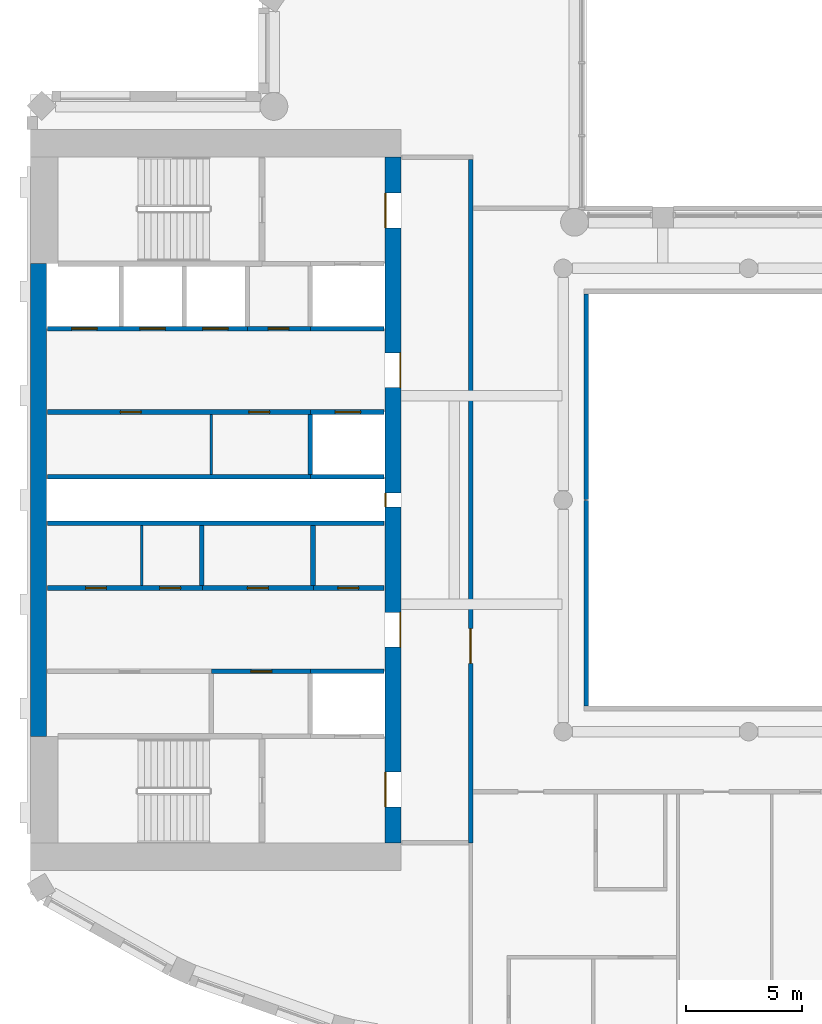
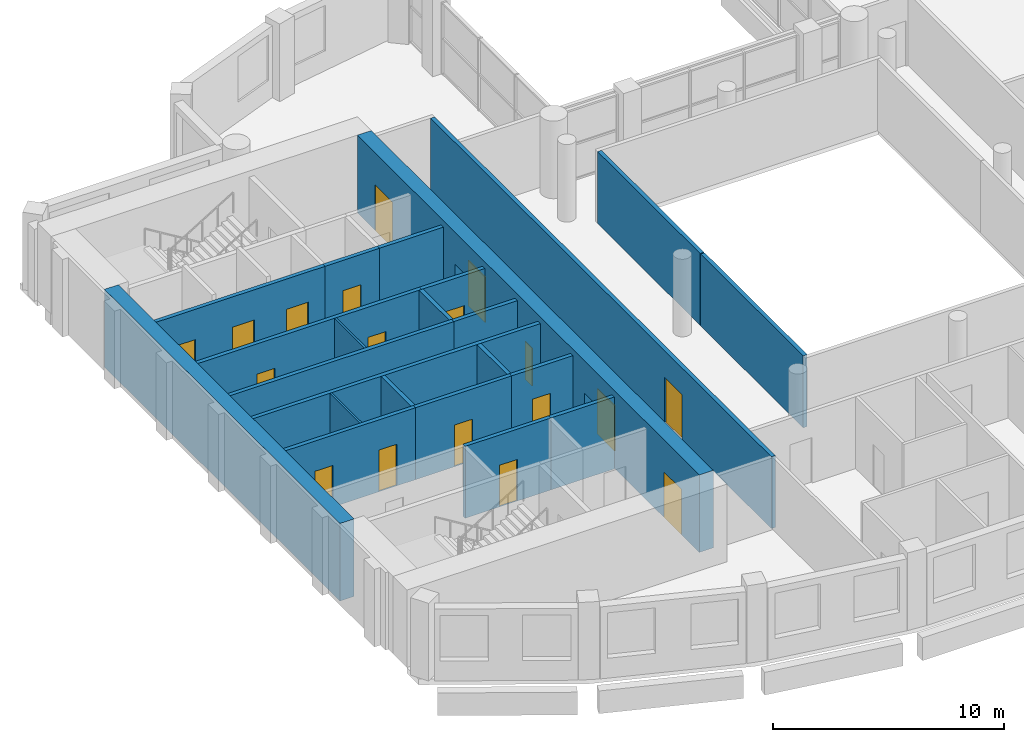
# One storey, part 5 of 15: 23 walls, 18 doors, 18 openings.
"""IFC4 building model written with IfcOpenShell, lengths in metres."""

from ifc_helpers import new_model, si_unit, direction, frame, frame_2d, origin, place, context, subcontext, project, spatial, rectangle, extrude, material, layer, layer_set, type_object, element, fill, save


model = new_model("IFC4")

# Units and contexts
model_context = context("Model", 3, precision=1e-05, world=origin(), true_north=direction((0.0, 1.0)))
body_context = subcontext(model_context, "Body", "Model", "MODEL_VIEW")
ifc_project = project(units=[si_unit("LENGTHUNIT", "METRE"), si_unit("AREAUNIT", "SQUARE_METRE"), si_unit("VOLUMEUNIT", "CUBIC_METRE"), si_unit("PLANEANGLEUNIT", "RADIAN"), si_unit("MASSUNIT", "GRAM", prefix="KILO")], contexts=[model_context])

# Site, building, storey
site_placement = place(None, origin())
site = spatial("IfcSite", under=ifc_project, at=site_placement, CompositionType="ELEMENT")
building_placement = place(site_placement, origin())
building = spatial("IfcBuilding", under=site, at=building_placement, Name="Cypress Arch Tower", CompositionType="ELEMENT")
storey_placement = place(building_placement, frame((0.0, 0.0, 317.199951171875)))
storey = spatial("IfcBuildingStorey", under=building, at=storey_placement, Name="L72", CompositionType="ELEMENT", Elevation=317.199951171875)

# Wall, openings, doors
ifc_material_1 = material(Name="Concrete C60/75", Category="concrete")
ifc_layer_1 = layer(ifc_material_1, 0.699951171875)
ifc_layer_set_1 = layer_set([ifc_layer_1], Name="Core wall CW700 C60/75")
wall_type_1 = type_object("IfcWallType", Name="Core wall CW700 C60/75", PredefinedType="SHEAR", material=ifc_layer_set_1)
wall_1_placement = place(storey_placement, frame((-14.35009765625, -14.800048828125, 0.0), z_axis=(0.0, 0.0, 1.0), x_axis=(0.0, 1.0, 0.0)))
wall_1 = element("IfcWall", 1, at=wall_1_placement, inside=storey, type_object=wall_type_1, Name="Core wall", PredefinedType="SHEAR", context=body_context, shape_type="SweptSolid", body=[
    extrude(rectangle(XDim=29.60009765625, YDim=0.699951171875, at=frame_2d((14.800048828125, 0.0))), origin(), (0.0, 0.0, 1.0), 4.10009765625),
])
opening_1_placement = place(wall_1_placement, frame((1.550048828125, 0.0, 0.0)))
opening_1 = element("IfcOpeningElement", 2, at=opening_1_placement, cuts=wall_1, Name="Opening D07", PredefinedType="OPENING", context=body_context, shape_type="SweptSolid", body=[
    extrude(rectangle(XDim=1.5, YDim=2.39990234375, at=frame_2d((0.75, 1.199951171875))), frame((0.0, 0.35986328125, 0.0), z_axis=(0.0, -1.0, 0.0), x_axis=(1.0, 0.0, 0.0)), (0.0, 0.0, 1.0), 0.719970703125),
])
opening_2_placement = place(wall_1_placement, frame((26.550048828125, 0.0, 0.0)))
opening_2 = element("IfcOpeningElement", 3, at=opening_2_placement, cuts=wall_1, Name="Opening D07", PredefinedType="OPENING", context=body_context, shape_type="SweptSolid", body=[
    extrude(rectangle(XDim=1.5, YDim=2.39990234375, at=frame_2d((0.75, 1.199951171875))), frame((0.0, 0.35986328125, 0.0), z_axis=(0.0, -1.0, 0.0), x_axis=(1.0, 0.0, 0.0)), (0.0, 0.0, 1.0), 0.719970703125),
])
opening_3_placement = place(wall_1_placement, frame((8.449951171875, 0.0, 0.0)))
opening_3 = element("IfcOpeningElement", 4, at=opening_3_placement, cuts=wall_1, Name="Opening D07", PredefinedType="OPENING", context=body_context, shape_type="SweptSolid", body=[
    extrude(rectangle(XDim=1.5, YDim=2.39990234375, at=frame_2d((0.75, 1.199951171875))), frame((0.0, 0.35986328125, 0.0), z_axis=(0.0, -1.0, 0.0), x_axis=(1.0, 0.0, 0.0)), (0.0, 0.0, 1.0), 0.719970703125),
])
opening_4_placement = place(wall_1_placement, frame((19.64990234375, 0.0, 0.0)))
opening_4 = element("IfcOpeningElement", 5, at=opening_4_placement, cuts=wall_1, Name="Opening D07", PredefinedType="OPENING", context=body_context, shape_type="SweptSolid", body=[
    extrude(rectangle(XDim=1.5, YDim=2.39990234375, at=frame_2d((0.75, 1.199951171875))), frame((0.0, 0.35986328125, 0.0), z_axis=(0.0, -1.0, 0.0), x_axis=(1.0, 0.0, 0.0)), (0.0, 0.0, 1.0), 0.719970703125),
])
opening_5_placement = place(wall_1_placement, frame((14.5, 0.0, 0.0)))
opening_5 = element("IfcOpeningElement", 6, at=opening_5_placement, cuts=wall_1, Name="Opening D08", PredefinedType="OPENING", context=body_context, shape_type="SweptSolid", body=[
    extrude(rectangle(XDim=0.60009765625, YDim=2.0, at=frame_2d((0.300048828125, 1.0))), frame((0.0, 0.35986328125, 0.0), z_axis=(0.0, -1.0, 0.0), x_axis=(1.0, 0.0, 0.0)), (0.0, 0.0, 1.0), 0.719970703125),
])
ifc_material_2 = material(Name="Steel framed glazed door, fire resisting", Category="steel")
door_type_1 = type_object("IfcDoorType", Name="Lobby door D07 1500x2400", OperationType="DOUBLE_DOOR_SINGLE_SWING", PredefinedType="DOOR", material=ifc_material_2)
door_1_placement = place(opening_1_placement, origin())
door_1 = element("IfcDoor", 7, at=door_1_placement, inside=storey, type_object=door_type_1, Name="Lobby door", OperationType="DOUBLE_DOOR_SINGLE_SWING", OverallHeight=2.39990234375, OverallWidth=1.5, PredefinedType="DOOR", context=body_context, shape_type="SweptSolid", body=[
    extrude(rectangle(XDim=1.5, YDim=2.39990234375, at=frame_2d((0.75, 1.199951171875))), frame((0.0, 0.34521484375, 0.0), z_axis=(0.0, -1.0, 0.0), x_axis=(1.0, 0.0, 0.0)), (0.0, 0.0, 1.0), 0.050048828125),
])
fill(opening_1, door_1)
door_2_placement = place(opening_2_placement, origin())
door_2 = element("IfcDoor", 8, at=door_2_placement, inside=storey, type_object=door_type_1, Name="Lobby door", OperationType="DOUBLE_DOOR_SINGLE_SWING", OverallHeight=2.39990234375, OverallWidth=1.5, PredefinedType="DOOR", context=body_context, shape_type="SweptSolid", body=[
    extrude(rectangle(XDim=1.5, YDim=2.39990234375, at=frame_2d((0.75, 1.199951171875))), frame((0.0, 0.34521484375, 0.0), z_axis=(0.0, -1.0, 0.0), x_axis=(1.0, 0.0, 0.0)), (0.0, 0.0, 1.0), 0.050048828125),
])
fill(opening_2, door_2)
door_3_placement = place(opening_3_placement, origin())
door_3 = element("IfcDoor", 9, at=door_3_placement, inside=storey, type_object=door_type_1, Name="Lobby door", OperationType="DOUBLE_DOOR_SINGLE_SWING", OverallHeight=2.39990234375, OverallWidth=1.5, PredefinedType="DOOR", context=body_context, shape_type="SweptSolid", body=[
    extrude(rectangle(XDim=1.5, YDim=2.39990234375, at=frame_2d((0.75, 1.199951171875))), frame((0.0, -0.294921875, 0.0), z_axis=(0.0, -1.0, 0.0), x_axis=(1.0, 0.0, 0.0)), (0.0, 0.0, 1.0), 0.050048828125),
])
fill(opening_3, door_3)
door_4_placement = place(opening_4_placement, origin())
door_4 = element("IfcDoor", 10, at=door_4_placement, inside=storey, type_object=door_type_1, Name="Lobby door", OperationType="DOUBLE_DOOR_SINGLE_SWING", OverallHeight=2.39990234375, OverallWidth=1.5, PredefinedType="DOOR", context=body_context, shape_type="SweptSolid", body=[
    extrude(rectangle(XDim=1.5, YDim=2.39990234375, at=frame_2d((0.75, 1.199951171875))), frame((0.0, -0.294921875, 0.0), z_axis=(0.0, -1.0, 0.0), x_axis=(1.0, 0.0, 0.0)), (0.0, 0.0, 1.0), 0.050048828125),
])
fill(opening_4, door_4)
ifc_material_3 = material(Name="Steel access door, fire resisting", Category="steel")
door_type_2 = type_object("IfcDoorType", Name="Riser access door D08 600x2000", OperationType="SINGLE_SWING_LEFT", PredefinedType="DOOR", material=ifc_material_3)
door_5_placement = place(opening_5_placement, origin())
door_5 = element("IfcDoor", 11, at=door_5_placement, inside=storey, type_object=door_type_2, Name="Riser access door", OperationType="SINGLE_SWING_RIGHT", OverallHeight=2.0, OverallWidth=0.60009765625, PredefinedType="DOOR", context=body_context, shape_type="SweptSolid", body=[
    extrude(rectangle(XDim=0.60009765625, YDim=2.0, at=frame_2d((0.300048828125, 1.0))), frame((0.0, 0.34521484375, 0.0), z_axis=(0.0, -1.0, 0.0), x_axis=(1.0, 0.0, 0.0)), (0.0, 0.0, 1.0), 0.050048828125),
])
fill(opening_5, door_5)

# Wall
wall_2_placement = place(storey_placement, frame((-29.64990234375, -10.199951171875, 0.0), z_axis=(0.0, 0.0, 1.0), x_axis=(0.0, 1.0, 0.0)))
element("IfcWall", 12, at=wall_2_placement, inside=storey, type_object=wall_type_1, Name="Core wall", PredefinedType="SHEAR", context=body_context, shape_type="SweptSolid", body=[
    extrude(rectangle(XDim=20.39990234375, YDim=0.699951171875, at=frame_2d((10.199951171875, 0.0))), origin(), (0.0, 0.0, 1.0), 4.10009765625),
])

# Wall, openings, doors
ifc_material_4 = material(Name="Concrete blockwork, plastered, rated", Category="masonry")
ifc_layer_2 = layer(ifc_material_4, 0.199951171875)
ifc_layer_set_2 = layer_set([ifc_layer_2], Name="Corridor wall FW200")
wall_type_2 = type_object("IfcWallType", Name="Corridor wall FW200", PredefinedType="PARTITIONING", material=ifc_layer_set_2)
wall_3_placement = place(storey_placement, frame((-29.27001953125, -3.800048828125, 0.0), z_axis=(0.0, 0.0, 1.0), x_axis=(1.0, 0.0, 0.0)))
wall_3 = element("IfcWall", 13, at=wall_3_placement, inside=storey, type_object=wall_type_2, Name="Corridor wall", PredefinedType="PARTITIONING", context=body_context, shape_type="SweptSolid", body=[
    extrude(rectangle(XDim=6.68994140625, YDim=0.199951171875, at=frame_2d((3.344970703125, 0.0))), origin(), (0.0, 0.0, 1.0), 3.800048828125),
])
opening_6_placement = place(wall_3_placement, frame((1.64990234375, 0.0, 0.0)))
opening_6 = element("IfcOpeningElement", 14, at=opening_6_placement, cuts=wall_3, Name="Opening D05", PredefinedType="OPENING", context=body_context, shape_type="SweptSolid", body=[
    extrude(rectangle(XDim=0.89990234375, YDim=2.199951171875, at=frame_2d((0.449951171875, 1.10009765625))), frame((0.0, 0.10986328125, 0.0), z_axis=(0.0, -1.0, 0.0), x_axis=(1.0, 0.0, 0.0)), (0.0, 0.0, 1.0), 0.219970703125),
])
opening_7_placement = place(wall_3_placement, frame((4.85009765625, 0.0, 0.0)))
opening_7 = element("IfcOpeningElement", 15, at=opening_7_placement, cuts=wall_3, Name="Opening D05", PredefinedType="OPENING", context=body_context, shape_type="SweptSolid", body=[
    extrude(rectangle(XDim=0.89990234375, YDim=2.199951171875, at=frame_2d((0.449951171875, 1.10009765625))), frame((0.0, 0.10986328125, 0.0), z_axis=(0.0, -1.0, 0.0), x_axis=(1.0, 0.0, 0.0)), (0.0, 0.0, 1.0), 0.219970703125),
])
ifc_material_5 = material(Name="Timber flush door", Category="wood")
door_type_3 = type_object("IfcDoorType", Name="Service door D05 900x2200", OperationType="SINGLE_SWING_LEFT", PredefinedType="DOOR", material=ifc_material_5)
door_6_placement = place(opening_6_placement, origin())
door_6 = element("IfcDoor", 16, at=door_6_placement, inside=storey, type_object=door_type_3, Name="Service door", OperationType="SINGLE_SWING_RIGHT", OverallHeight=2.199951171875, OverallWidth=0.89990234375, PredefinedType="DOOR", context=body_context, shape_type="SweptSolid", body=[
    extrude(rectangle(XDim=0.89990234375, YDim=2.199951171875, at=frame_2d((0.449951171875, 1.10009765625))), frame((0.0, 0.02490234375, 0.0), z_axis=(0.0, -1.0, 0.0), x_axis=(1.0, 0.0, 0.0)), (0.0, 0.0, 1.0), 0.050048828125),
])
fill(opening_6, door_6)
door_7_placement = place(opening_7_placement, origin())
door_7 = element("IfcDoor", 17, at=door_7_placement, inside=storey, type_object=door_type_3, Name="Service door", OperationType="SINGLE_SWING_LEFT", OverallHeight=2.199951171875, OverallWidth=0.89990234375, PredefinedType="DOOR", context=body_context, shape_type="SweptSolid", body=[
    extrude(rectangle(XDim=0.89990234375, YDim=2.199951171875, at=frame_2d((0.449951171875, 1.10009765625))), frame((0.0, 0.02490234375, 0.0), z_axis=(0.0, -1.0, 0.0), x_axis=(1.0, 0.0, 0.0)), (0.0, 0.0, 1.0), 0.050048828125),
])
fill(opening_7, door_7)

wall_4_placement = place(storey_placement, frame((-29.27001953125, 3.800048828125, 0.0), z_axis=(0.0, 0.0, 1.0), x_axis=(1.0, 0.0, 0.0)))
wall_4 = element("IfcWall", 18, at=wall_4_placement, inside=storey, type_object=wall_type_2, Name="Corridor wall", PredefinedType="PARTITIONING", context=body_context, shape_type="SweptSolid", body=[
    extrude(rectangle(XDim=11.3701171875, YDim=0.199951171875, at=frame_2d((5.68505859375, 0.0))), origin(), (0.0, 0.0, 1.0), 3.800048828125),
])
opening_8_placement = place(wall_4_placement, frame((3.14990234375, 0.0, 0.0)))
opening_8 = element("IfcOpeningElement", 19, at=opening_8_placement, cuts=wall_4, Name="Opening D05", PredefinedType="OPENING", context=body_context, shape_type="SweptSolid", body=[
    extrude(rectangle(XDim=0.89990234375, YDim=2.199951171875, at=frame_2d((0.449951171875, 1.10009765625))), frame((0.0, 0.10986328125, 0.0), z_axis=(0.0, -1.0, 0.0), x_axis=(1.0, 0.0, 0.0)), (0.0, 0.0, 1.0), 0.219970703125),
])
opening_9_placement = place(wall_4_placement, frame((8.699951171875, 0.0, 0.0)))
opening_9 = element("IfcOpeningElement", 20, at=opening_9_placement, cuts=wall_4, Name="Opening D05", PredefinedType="OPENING", context=body_context, shape_type="SweptSolid", body=[
    extrude(rectangle(XDim=0.89990234375, YDim=2.199951171875, at=frame_2d((0.449951171875, 1.10009765625))), frame((0.0, 0.10986328125, 0.0), z_axis=(0.0, -1.0, 0.0), x_axis=(1.0, 0.0, 0.0)), (0.0, 0.0, 1.0), 0.219970703125),
])
door_8_placement = place(opening_8_placement, origin())
door_8 = element("IfcDoor", 21, at=door_8_placement, inside=storey, type_object=door_type_3, Name="Service door", OperationType="SINGLE_SWING_LEFT", OverallHeight=2.199951171875, OverallWidth=0.89990234375, PredefinedType="DOOR", context=body_context, shape_type="SweptSolid", body=[
    extrude(rectangle(XDim=0.89990234375, YDim=2.199951171875, at=frame_2d((0.449951171875, 1.10009765625))), frame((0.0, 0.02490234375, 0.0), z_axis=(0.0, -1.0, 0.0), x_axis=(1.0, 0.0, 0.0)), (0.0, 0.0, 1.0), 0.050048828125),
])
fill(opening_8, door_8)
door_9_placement = place(opening_9_placement, origin())
door_9 = element("IfcDoor", 22, at=door_9_placement, inside=storey, type_object=door_type_3, Name="Service door", OperationType="SINGLE_SWING_RIGHT", OverallHeight=2.199951171875, OverallWidth=0.89990234375, PredefinedType="DOOR", context=body_context, shape_type="SweptSolid", body=[
    extrude(rectangle(XDim=0.89990234375, YDim=2.199951171875, at=frame_2d((0.449951171875, 1.10009765625))), frame((0.0, 0.02490234375, 0.0), z_axis=(0.0, -1.0, 0.0), x_axis=(1.0, 0.0, 0.0)), (0.0, 0.0, 1.0), 0.050048828125),
])
fill(opening_9, door_9)

# Wall, opening, door
wall_5_placement = place(storey_placement, frame((-20.639892578125, 7.39990234375, 0.0), z_axis=(0.0, 0.0, 1.0), x_axis=(1.0, 0.0, 0.0)))
wall_5 = element("IfcWall", 23, at=wall_5_placement, inside=storey, type_object=wall_type_2, Name="Corridor wall", PredefinedType="PARTITIONING", context=body_context, shape_type="SweptSolid", body=[
    extrude(rectangle(XDim=2.719970703125, YDim=0.199951171875, at=frame_2d((1.35986328125, 0.0))), origin(), (0.0, 0.0, 1.0), 3.800048828125),
])
opening_10_placement = place(wall_5_placement, frame((0.89990234375, 0.0, 0.0)))
opening_10 = element("IfcOpeningElement", 24, at=opening_10_placement, cuts=wall_5, Name="Opening D05", PredefinedType="OPENING", context=body_context, shape_type="SweptSolid", body=[
    extrude(rectangle(XDim=0.89990234375, YDim=2.199951171875, at=frame_2d((0.449951171875, 1.10009765625))), frame((0.0, 0.10986328125, 0.0), z_axis=(0.0, -1.0, 0.0), x_axis=(1.0, 0.0, 0.0)), (0.0, 0.0, 1.0), 0.219970703125),
])
door_10_placement = place(opening_10_placement, origin())
door_10 = element("IfcDoor", 25, at=door_10_placement, inside=storey, type_object=door_type_3, Name="Service door", OperationType="SINGLE_SWING_LEFT", OverallHeight=2.199951171875, OverallWidth=0.89990234375, PredefinedType="DOOR", context=body_context, shape_type="SweptSolid", body=[
    extrude(rectangle(XDim=0.89990234375, YDim=2.199951171875, at=frame_2d((0.449951171875, 1.10009765625))), frame((0.0, 0.02490234375, 0.0), z_axis=(0.0, -1.0, 0.0), x_axis=(1.0, 0.0, 0.0)), (0.0, 0.0, 1.0), 0.050048828125),
])
fill(opening_10, door_10)

wall_6_placement = place(storey_placement, frame((-17.780029296875, -3.800048828125, 0.0), z_axis=(0.0, 0.0, 1.0), x_axis=(1.0, 0.0, 0.0)))
wall_6 = element("IfcWall", 26, at=wall_6_placement, inside=storey, type_object=wall_type_2, Name="Corridor wall", PredefinedType="PARTITIONING", context=body_context, shape_type="SweptSolid", body=[
    extrude(rectangle(XDim=3.050048828125, YDim=0.199951171875, at=frame_2d((1.52490234375, 0.0))), origin(), (0.0, 0.0, 1.0), 3.800048828125),
])
opening_11_placement = place(wall_6_placement, frame((1.050048828125, 0.0, 0.0)))
opening_11 = element("IfcOpeningElement", 27, at=opening_11_placement, cuts=wall_6, Name="Opening D05", PredefinedType="OPENING", context=body_context, shape_type="SweptSolid", body=[
    extrude(rectangle(XDim=0.89990234375, YDim=2.199951171875, at=frame_2d((0.449951171875, 1.10009765625))), frame((0.0, 0.10986328125, 0.0), z_axis=(0.0, -1.0, 0.0), x_axis=(1.0, 0.0, 0.0)), (0.0, 0.0, 1.0), 0.219970703125),
])
door_11_placement = place(opening_11_placement, origin())
door_11 = element("IfcDoor", 28, at=door_11_placement, inside=storey, type_object=door_type_3, Name="Service door", OperationType="SINGLE_SWING_LEFT", OverallHeight=2.199951171875, OverallWidth=0.89990234375, PredefinedType="DOOR", context=body_context, shape_type="SweptSolid", body=[
    extrude(rectangle(XDim=0.89990234375, YDim=2.199951171875, at=frame_2d((0.449951171875, 1.10009765625))), frame((0.0, 0.02490234375, 0.0), z_axis=(0.0, -1.0, 0.0), x_axis=(1.0, 0.0, 0.0)), (0.0, 0.0, 1.0), 0.050048828125),
])
fill(opening_11, door_11)

wall_7_placement = place(storey_placement, frame((-11.0, -14.800048828125, 0.0), z_axis=(0.0, 0.0, 1.0), x_axis=(0.0, 1.0, 0.0)))
wall_7 = element("IfcWall", 29, at=wall_7_placement, inside=storey, type_object=wall_type_2, Name="Corridor wall", PredefinedType="PARTITIONING", context=body_context, shape_type="SweptSolid", body=[
    extrude(rectangle(XDim=29.5, YDim=0.199951171875, at=frame_2d((14.75, 0.0))), origin(), (0.0, 0.0, 1.0), 3.800048828125),
])
opening_12_placement = place(wall_7_placement, frame((7.75, 0.0, 0.0)))
opening_12 = element("IfcOpeningElement", 30, at=opening_12_placement, cuts=wall_7, Name="Opening D07", PredefinedType="OPENING", context=body_context, shape_type="SweptSolid", body=[
    extrude(rectangle(XDim=1.5, YDim=2.39990234375, at=frame_2d((0.75, 1.199951171875))), frame((0.0, 0.10986328125, 0.0), z_axis=(0.0, -1.0, 0.0), x_axis=(1.0, 0.0, 0.0)), (0.0, 0.0, 1.0), 0.219970703125),
])
door_12_placement = place(opening_12_placement, origin())
door_12 = element("IfcDoor", 31, at=door_12_placement, inside=storey, type_object=door_type_1, Name="Lobby door", OperationType="DOUBLE_DOOR_SINGLE_SWING", OverallHeight=2.39990234375, OverallWidth=1.5, PredefinedType="DOOR", context=body_context, shape_type="SweptSolid", body=[
    extrude(rectangle(XDim=1.5, YDim=2.39990234375, at=frame_2d((0.75, 1.199951171875))), frame((0.0, 0.02490234375, 0.0), z_axis=(0.0, -1.0, 0.0), x_axis=(1.0, 0.0, 0.0)), (0.0, 0.0, 1.0), 0.050048828125),
])
fill(opening_12, door_12)

# Walls
for number, where, z_axis, x_axis, name in (
    (32, (-6.0, -8.89990234375, 0.0), (0.0, 0.0, 1.0), (0.0, 1.0, 0.0), "Corridor wall"),
    (33, (-6.0, 0.02001953125, 0.0), (0.0, 0.0, 1.0), (0.0, 1.0, 0.0), "Corridor wall"),
):
    element("IfcWall", number, at=place(storey_placement, frame(where, z_axis=z_axis, x_axis=x_axis)), inside=storey, type_object=wall_type_2, Name=name, PredefinedType="PARTITIONING", context=body_context, shape_type="SweptSolid", body=[
        extrude(rectangle(XDim=8.8798828125, YDim=0.199951171875, at=frame_2d((4.43994140625, 0.0))), origin(), (0.0, 0.0, 1.0), 3.800048828125),
    ])
ifc_material_6 = material(Name="Reinforced blockwork, plastered, rated", Category="masonry")
ifc_layer_3 = layer(ifc_material_6, 0.199951171875)
ifc_layer_set_3 = layer_set([ifc_layer_3], Name="Plant and riser wall PL200")
wall_type_3 = type_object("IfcWallType", Name="Plant and riser wall PL200", PredefinedType="PARTITIONING", material=ifc_layer_set_3)
wall_8_placement = place(storey_placement, frame((-29.27001953125, -1.0, 0.0), z_axis=(0.0, 0.0, 1.0), x_axis=(1.0, 0.0, 0.0)))
element("IfcWall", 34, at=wall_8_placement, inside=storey, type_object=wall_type_3, Name="Plant and riser wall", PredefinedType="PARTITIONING", context=body_context, shape_type="SweptSolid", body=[
    extrude(rectangle(XDim=14.5400390625, YDim=0.199951171875, at=frame_2d((7.27001953125, 0.0))), origin(), (0.0, 0.0, 1.0), 3.800048828125),
])
wall_9_placement = place(storey_placement, frame((-29.27001953125, 1.0, 0.0), z_axis=(0.0, 0.0, 1.0), x_axis=(1.0, 0.0, 0.0)))
element("IfcWall", 35, at=wall_9_placement, inside=storey, type_object=wall_type_3, Name="Plant and riser wall", PredefinedType="PARTITIONING", context=body_context, shape_type="SweptSolid", body=[
    extrude(rectangle(XDim=11.3701171875, YDim=0.199951171875, at=frame_2d((5.68505859375, 0.0))), origin(), (0.0, 0.0, 1.0), 3.800048828125),
])

# Wall, opening, door
wall_10_placement = place(storey_placement, frame((-22.580078125, -3.800048828125, 0.0), z_axis=(0.0, 0.0, 1.0), x_axis=(1.0, 0.0, 0.0)))
wall_10 = element("IfcWall", 36, at=wall_10_placement, inside=storey, type_object=wall_type_3, Name="Plant and riser wall", PredefinedType="PARTITIONING", context=body_context, shape_type="SweptSolid", body=[
    extrude(rectangle(XDim=4.800048828125, YDim=0.199951171875, at=frame_2d((2.39990234375, 0.0))), origin(), (0.0, 0.0, 1.0), 3.800048828125),
])
opening_13_placement = place(wall_10_placement, frame((1.949951171875, 0.0, 0.0)))
opening_13 = element("IfcOpeningElement", 37, at=opening_13_placement, cuts=wall_10, Name="Opening D05", PredefinedType="OPENING", context=body_context, shape_type="SweptSolid", body=[
    extrude(rectangle(XDim=0.89990234375, YDim=2.199951171875, at=frame_2d((0.449951171875, 1.10009765625))), frame((0.0, 0.10986328125, 0.0), z_axis=(0.0, -1.0, 0.0), x_axis=(1.0, 0.0, 0.0)), (0.0, 0.0, 1.0), 0.219970703125),
])
door_13_placement = place(opening_13_placement, origin())
door_13 = element("IfcDoor", 38, at=door_13_placement, inside=storey, type_object=door_type_3, Name="Service door", OperationType="SINGLE_SWING_RIGHT", OverallHeight=2.199951171875, OverallWidth=0.89990234375, PredefinedType="DOOR", context=body_context, shape_type="SweptSolid", body=[
    extrude(rectangle(XDim=0.89990234375, YDim=2.199951171875, at=frame_2d((0.449951171875, 1.10009765625))), frame((0.0, 0.02490234375, 0.0), z_axis=(0.0, -1.0, 0.0), x_axis=(1.0, 0.0, 0.0)), (0.0, 0.0, 1.0), 0.050048828125),
])
fill(opening_13, door_13)

# Wall
wall_11_placement = place(storey_placement, frame((-22.60009765625, -3.699951171875, 0.0), z_axis=(0.0, 0.0, 1.0), x_axis=(0.0, 1.0, 0.0)))
element("IfcWall", 39, at=wall_11_placement, inside=storey, type_object=wall_type_3, Name="Plant and riser wall", PredefinedType="PARTITIONING", context=body_context, shape_type="SweptSolid", body=[
    extrude(rectangle(XDim=2.599853515625, YDim=0.199951171875, at=frame_2d((1.2998046875, 0.0))), origin(), (0.0, 0.0, 1.0), 3.800048828125),
])

# Wall, opening, door
wall_12_placement = place(storey_placement, frame((-22.179931640625, -7.39990234375, 0.0), z_axis=(0.0, 0.0, 1.0), x_axis=(1.0, 0.0, 0.0)))
wall_12 = element("IfcWall", 40, at=wall_12_placement, inside=storey, type_object=wall_type_3, Name="Plant and riser wall", PredefinedType="PARTITIONING", context=body_context, shape_type="SweptSolid", body=[
    extrude(rectangle(XDim=4.280029296875, YDim=0.199951171875, at=frame_2d((2.14013671875, 0.0))), origin(), (0.0, 0.0, 1.0), 3.800048828125),
])
opening_14_placement = place(wall_12_placement, frame((1.699951171875, 0.0, 0.0)))
opening_14 = element("IfcOpeningElement", 41, at=opening_14_placement, cuts=wall_12, Name="Opening D05", PredefinedType="OPENING", context=body_context, shape_type="SweptSolid", body=[
    extrude(rectangle(XDim=0.89990234375, YDim=2.199951171875, at=frame_2d((0.449951171875, 1.10009765625))), frame((0.0, 0.10986328125, 0.0), z_axis=(0.0, -1.0, 0.0), x_axis=(1.0, 0.0, 0.0)), (0.0, 0.0, 1.0), 0.219970703125),
])
door_14_placement = place(opening_14_placement, origin())
door_14 = element("IfcDoor", 42, at=door_14_placement, inside=storey, type_object=door_type_3, Name="Service door", OperationType="SINGLE_SWING_LEFT", OverallHeight=2.199951171875, OverallWidth=0.89990234375, PredefinedType="DOOR", context=body_context, shape_type="SweptSolid", body=[
    extrude(rectangle(XDim=0.89990234375, YDim=2.199951171875, at=frame_2d((0.449951171875, 1.10009765625))), frame((0.0, 0.02490234375, 0.0), z_axis=(0.0, -1.0, 0.0), x_axis=(1.0, 0.0, 0.0)), (0.0, 0.0, 1.0), 0.050048828125),
])
fill(opening_14, door_14)

# Wall
wall_13_placement = place(storey_placement, frame((-17.800048828125, -3.699951171875, 0.0), z_axis=(0.0, 0.0, 1.0), x_axis=(0.0, 1.0, 0.0)))
element("IfcWall", 43, at=wall_13_placement, inside=storey, type_object=wall_type_3, Name="Plant and riser wall", PredefinedType="PARTITIONING", context=body_context, shape_type="SweptSolid", body=[
    extrude(rectangle(XDim=2.599853515625, YDim=0.199951171875, at=frame_2d((1.2998046875, 0.0))), origin(), (0.0, 0.0, 1.0), 3.800048828125),
])

# Wall, openings, doors
ifc_material_7 = material(Name="Concrete C50/60", Category="concrete")
ifc_layer_4 = layer(ifc_material_7, 0.199951171875)
ifc_layer_set_4 = layer_set([ifc_layer_4], Name="Shaft wall SH200")
wall_type_4 = type_object("IfcWallType", Name="Shaft wall SH200", PredefinedType="SHEAR", material=ifc_layer_set_4)
wall_14_placement = place(storey_placement, frame((-29.27001953125, 7.39990234375, 0.0), z_axis=(0.0, 0.0, 1.0), x_axis=(1.0, 0.0, 0.0)))
wall_14 = element("IfcWall", 44, at=wall_14_placement, inside=storey, type_object=wall_type_4, Name="Shaft wall", PredefinedType="SHEAR", context=body_context, shape_type="SweptSolid", body=[
    extrude(rectangle(XDim=8.630126953125, YDim=0.199951171875, at=frame_2d((4.31494140625, 0.0))), origin(), (0.0, 0.0, 1.0), 3.800048828125),
])
opening_15_placement = place(wall_14_placement, frame((1.050048828125, 0.0, 0.0)))
opening_15 = element("IfcOpeningElement", 45, at=opening_15_placement, cuts=wall_14, Name="Opening LD-HR5", PredefinedType="OPENING", context=body_context, shape_type="SweptSolid", body=[
    extrude(rectangle(XDim=1.10009765625, YDim=2.199951171875, at=frame_2d((0.550048828125, 1.10009765625))), frame((0.0, 0.10986328125, 0.0), z_axis=(0.0, -1.0, 0.0), x_axis=(1.0, 0.0, 0.0)), (0.0, 0.0, 1.0), 0.219970703125),
])
opening_16_placement = place(wall_14_placement, frame((4.0, 0.0, 0.0)))
opening_16 = element("IfcOpeningElement", 46, at=opening_16_placement, cuts=wall_14, Name="Opening LD-HR6", PredefinedType="OPENING", context=body_context, shape_type="SweptSolid", body=[
    extrude(rectangle(XDim=1.10009765625, YDim=2.199951171875, at=frame_2d((0.550048828125, 1.10009765625))), frame((0.0, 0.10986328125, 0.0), z_axis=(0.0, -1.0, 0.0), x_axis=(1.0, 0.0, 0.0)), (0.0, 0.0, 1.0), 0.219970703125),
])
opening_17_placement = place(wall_14_placement, frame((6.699951171875, 0.0, 0.0)))
opening_17 = element("IfcOpeningElement", 47, at=opening_17_placement, cuts=wall_14, Name="Opening LD-HR7", PredefinedType="OPENING", context=body_context, shape_type="SweptSolid", body=[
    extrude(rectangle(XDim=1.10009765625, YDim=2.199951171875, at=frame_2d((0.550048828125, 1.10009765625))), frame((0.0, 0.10986328125, 0.0), z_axis=(0.0, -1.0, 0.0), x_axis=(1.0, 0.0, 0.0)), (0.0, 0.0, 1.0), 0.219970703125),
])
ifc_material_8 = material(Name="Stainless steel centre-opening landing door, rated", Category="steel")
door_type_4 = type_object("IfcDoorType", Name="Lift landing door LD 1100x2200", OperationType="DOUBLE_DOOR_SLIDING", PredefinedType="DOOR", material=ifc_material_8)
door_15_placement = place(opening_15_placement, origin())
door_15 = element("IfcDoor", 48, at=door_15_placement, inside=storey, type_object=door_type_4, Name="Lift landing doors HR5", OperationType="DOUBLE_DOOR_SLIDING", OverallHeight=2.199951171875, OverallWidth=1.10009765625, PredefinedType="DOOR", context=body_context, shape_type="SweptSolid", body=[
    extrude(rectangle(XDim=1.10009765625, YDim=2.199951171875, at=frame_2d((0.550048828125, 1.10009765625))), frame((0.0, 0.02490234375, 0.0), z_axis=(0.0, -1.0, 0.0), x_axis=(1.0, 0.0, 0.0)), (0.0, 0.0, 1.0), 0.050048828125),
])
fill(opening_15, door_15)
door_16_placement = place(opening_16_placement, origin())
door_16 = element("IfcDoor", 49, at=door_16_placement, inside=storey, type_object=door_type_4, Name="Lift landing doors HR6", OperationType="DOUBLE_DOOR_SLIDING", OverallHeight=2.199951171875, OverallWidth=1.10009765625, PredefinedType="DOOR", context=body_context, shape_type="SweptSolid", body=[
    extrude(rectangle(XDim=1.10009765625, YDim=2.199951171875, at=frame_2d((0.550048828125, 1.10009765625))), frame((0.0, 0.02490234375, 0.0), z_axis=(0.0, -1.0, 0.0), x_axis=(1.0, 0.0, 0.0)), (0.0, 0.0, 1.0), 0.050048828125),
])
fill(opening_16, door_16)
door_17_placement = place(opening_17_placement, origin())
door_17 = element("IfcDoor", 50, at=door_17_placement, inside=storey, type_object=door_type_4, Name="Lift landing doors HR7", OperationType="DOUBLE_DOOR_SLIDING", OverallHeight=2.199951171875, OverallWidth=1.10009765625, PredefinedType="DOOR", context=body_context, shape_type="SweptSolid", body=[
    extrude(rectangle(XDim=1.10009765625, YDim=2.199951171875, at=frame_2d((0.550048828125, 1.10009765625))), frame((0.0, 0.02490234375, 0.0), z_axis=(0.0, -1.0, 0.0), x_axis=(1.0, 0.0, 0.0)), (0.0, 0.0, 1.0), 0.050048828125),
])
fill(opening_17, door_17)

# Walls
wall_15_placement = place(storey_placement, frame((-17.89990234375, -7.39990234375, 0.0), z_axis=(0.0, 0.0, 1.0), x_axis=(1.0, 0.0, 0.0)))
element("IfcWall", 51, at=wall_15_placement, inside=storey, type_object=wall_type_4, Name="Shaft wall", PredefinedType="SHEAR", context=body_context, shape_type="SweptSolid", body=[
    extrude(rectangle(XDim=3.169921875, YDim=0.199951171875, at=frame_2d((1.5849609375, 0.0))), origin(), (0.0, 0.0, 1.0), 3.800048828125),
])
wall_16_placement = place(storey_placement, frame((-17.919921875, 1.10009765625, 0.0), z_axis=(0.0, 0.0, 1.0), x_axis=(0.0, 1.0, 0.0)))
element("IfcWall", 52, at=wall_16_placement, inside=storey, type_object=wall_type_4, Name="Shaft wall", PredefinedType="SHEAR", context=body_context, shape_type="SweptSolid", body=[
    extrude(rectangle(XDim=2.599853515625, YDim=0.199951171875, at=frame_2d((1.2998046875, 0.0))), origin(), (0.0, 0.0, 1.0), 3.800048828125),
])
wall_17_placement = place(storey_placement, frame((-17.89990234375, 1.0, 0.0), z_axis=(0.0, 0.0, 1.0), x_axis=(1.0, 0.0, 0.0)))
element("IfcWall", 53, at=wall_17_placement, inside=storey, type_object=wall_type_4, Name="Shaft wall", PredefinedType="SHEAR", context=body_context, shape_type="SweptSolid", body=[
    extrude(rectangle(XDim=3.169921875, YDim=0.199951171875, at=frame_2d((1.5849609375, 0.0))), origin(), (0.0, 0.0, 1.0), 3.800048828125),
])

# Wall, opening, door
wall_18_placement = place(storey_placement, frame((-17.89990234375, 3.800048828125, 0.0), z_axis=(0.0, 0.0, 1.0), x_axis=(1.0, 0.0, 0.0)))
wall_18 = element("IfcWall", 54, at=wall_18_placement, inside=storey, type_object=wall_type_4, Name="Shaft wall", PredefinedType="SHEAR", context=body_context, shape_type="SweptSolid", body=[
    extrude(rectangle(XDim=3.169921875, YDim=0.199951171875, at=frame_2d((1.5849609375, 0.0))), origin(), (0.0, 0.0, 1.0), 3.800048828125),
])
opening_18_placement = place(wall_18_placement, frame((1.050048828125, 0.0, 0.0)))
opening_18 = element("IfcOpeningElement", 55, at=opening_18_placement, cuts=wall_18, Name="Opening LD-HR4", PredefinedType="OPENING", context=body_context, shape_type="SweptSolid", body=[
    extrude(rectangle(XDim=1.10009765625, YDim=2.199951171875, at=frame_2d((0.550048828125, 1.10009765625))), frame((0.0, 0.10986328125, 0.0), z_axis=(0.0, -1.0, 0.0), x_axis=(1.0, 0.0, 0.0)), (0.0, 0.0, 1.0), 0.219970703125),
])
door_18_placement = place(opening_18_placement, origin())
door_18 = element("IfcDoor", 56, at=door_18_placement, inside=storey, type_object=door_type_4, Name="Lift landing doors HR4", OperationType="DOUBLE_DOOR_SLIDING", OverallHeight=2.199951171875, OverallWidth=1.10009765625, PredefinedType="DOOR", context=body_context, shape_type="SweptSolid", body=[
    extrude(rectangle(XDim=1.10009765625, YDim=2.199951171875, at=frame_2d((0.550048828125, 1.10009765625))), frame((0.0, 0.02490234375, 0.0), z_axis=(0.0, -1.0, 0.0), x_axis=(1.0, 0.0, 0.0)), (0.0, 0.0, 1.0), 0.050048828125),
])
fill(opening_18, door_18)

# Walls
wall_19_placement = place(storey_placement, frame((-17.919921875, 7.39990234375, 0.0), z_axis=(0.0, 0.0, 1.0), x_axis=(1.0, 0.0, 0.0)))
element("IfcWall", 57, at=wall_19_placement, inside=storey, type_object=wall_type_4, Name="Shaft wall", PredefinedType="SHEAR", context=body_context, shape_type="SweptSolid", body=[
    extrude(rectangle(XDim=3.18994140625, YDim=0.199951171875, at=frame_2d((1.594970703125, 0.0))), origin(), (0.0, 0.0, 1.0), 3.800048828125),
])
ifc_material_9 = material(Name="Moisture resistant board on steel studs, tiled", Category="steel")
ifc_layer_5 = layer(ifc_material_9, 0.10009765625)
ifc_layer_set_5 = layer_set([ifc_layer_5], Name="Wet wall PW100")
wall_type_5 = type_object("IfcWallType", Name="Wet wall PW100", PredefinedType="PARTITIONING", material=ifc_layer_set_5)
for number, where, z_axis, x_axis, name in (
    (58, (-25.199951171875, -3.699951171875, 0.0), (0.0, 0.0, 1.0), (0.0, 1.0, 0.0), "Wet wall"),
    (59, (-22.199951171875, 1.10009765625, 0.0), (0.0, 0.0, 1.0), (0.0, 1.0, 0.0), "Wet wall"),
):
    element("IfcWall", number, at=place(storey_placement, frame(where, z_axis=z_axis, x_axis=x_axis)), inside=storey, type_object=wall_type_5, Name=name, PredefinedType="PARTITIONING", context=body_context, shape_type="SweptSolid", body=[
        extrude(rectangle(XDim=2.599853515625, YDim=0.10009765625, at=frame_2d((1.2998046875, 0.0))), origin(), (0.0, 0.0, 1.0), 3.800048828125),
    ])

save(model, "model.ifc")
